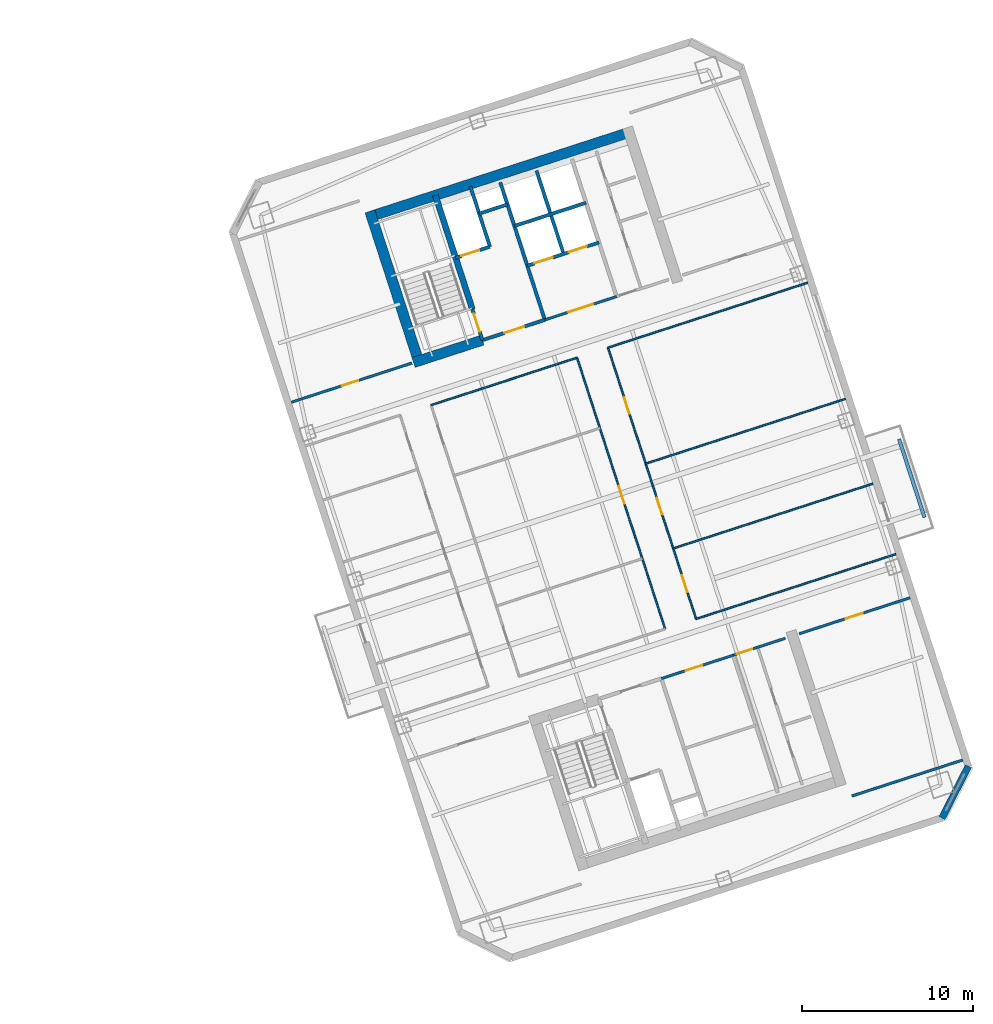
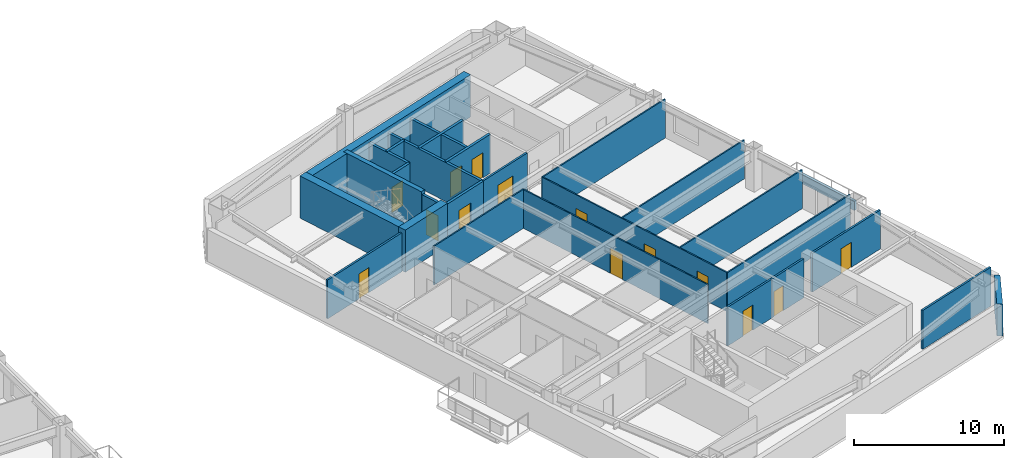
# One storey, part 16 of 22: 28 walls, 14 doors, 14 openings.
"""IFC4 building model written with IfcOpenShell, lengths in metres."""

from ifc_helpers import new_model, si_unit, direction, frame, frame_2d, origin, place, context, subcontext, project, spatial, rectangle, extrude, material, layer, layer_set, type_object, element, fill, save


model = new_model("IFC4")

# Units and contexts
model_context = context("Model", 3, precision=1e-05, world=origin(), true_north=direction((0.0, 1.0)))
body_context = subcontext(model_context, "Body", "Model", "MODEL_VIEW")
ifc_project = project(units=[si_unit("LENGTHUNIT", "METRE"), si_unit("AREAUNIT", "SQUARE_METRE"), si_unit("VOLUMEUNIT", "CUBIC_METRE"), si_unit("PLANEANGLEUNIT", "RADIAN"), si_unit("MASSUNIT", "GRAM", prefix="KILO")], contexts=[model_context])

# Site, building, storey
site_placement = place(None, origin())
site = spatial("IfcSite", under=ifc_project, at=site_placement, CompositionType="ELEMENT")
building_placement = place(site_placement, origin())
building = spatial("IfcBuilding", under=site, at=building_placement, Name="Qiaolan Cultural Towers", CompositionType="ELEMENT")
storey_placement = place(building_placement, frame((0.0, 0.0, 146.050048828125)))
storey = spatial("IfcBuildingStorey", under=building, at=storey_placement, Name="L38", CompositionType="ELEMENT", Elevation=146.050048828125)

# Walls
ifc_material_1 = material(Name="Concrete C50", Category="concrete")
ifc_layer_1 = layer(ifc_material_1, 0.35009765625)
ifc_layer_set_1 = layer_set([ifc_layer_1], Name="Concrete C50")
wall_type_1 = type_object("IfcWallType", Name="WL-CORE-350", PredefinedType="SHEAR", material=ifc_layer_set_1)
wall_1_placement = place(storey_placement, frame((82.513671875, 45.13134765625, 0.0), z_axis=(0.0, 0.0, 1.0), x_axis=(-0.308988790936, 0.951065679686, 0.0)))
element("IfcWall", 1, at=wall_1_placement, inside=storey, type_object=wall_type_1, Name="L38 T2-CN Stair Core Dividing Web", PredefinedType="SHEAR", context=body_context, shape_type="SweptSolid", body=[
    extrude(rectangle(XDim=6.97998046875, YDim=0.35009765625, at=frame_2d((3.489990234375, 0.0))), origin(), (0.0, 0.0, 1.0), 3.449951171875),
])
ifc_material_2 = material(Name="Concrete C55", Category="concrete")
ifc_layer_2 = layer(ifc_material_2, 0.60009765625)
ifc_layer_set_2 = layer_set([ifc_layer_2], Name="Concrete C55")
wall_type_2 = type_object("IfcWallType", Name="WL-CORE-600", PredefinedType="SHEAR", material=ifc_layer_set_2)
wall_2_placement = place(storey_placement, frame((76.343505859375, 50.4658203125, 0.0), z_axis=(0.0, 0.0, 1.0), x_axis=(0.951055727519, 0.309019421968, 0.0)))
element("IfcWall", 2, at=wall_2_placement, inside=storey, type_object=wall_type_2, Name="L38 T2-CN Outer Core Shear Wall", PredefinedType="SHEAR", context=body_context, shape_type="SweptSolid", body=[
    extrude(rectangle(XDim=16.39990234375, YDim=0.60009765625, at=frame_2d((8.199951171875, 0.0))), origin(), (0.0, 0.0, 1.0), 3.449951171875),
])
wall_3_placement = place(storey_placement, frame((79.465576171875, 41.827880859375, 0.0), z_axis=(0.0, 0.0, 1.0), x_axis=(-0.309041232772, 0.951048640421, 0.0)))
element("IfcWall", 3, at=wall_3_placement, inside=storey, type_object=wall_type_2, Name="L38 T2-CN West Core Shear Wall", PredefinedType="SHEAR", context=body_context, shape_type="SweptSolid", body=[
    extrude(rectangle(XDim=9.47998046875, YDim=0.60009765625, at=frame_2d((4.739990234375, 0.0))), origin(), (0.0, 0.0, 1.0), 3.449951171875),
])
wall_4_placement = place(storey_placement, frame((79.08740234375, 42.0205078125, 0.0), z_axis=(0.0, 0.0, 1.0), x_axis=(0.951062550203, 0.3089984233, 0.0)))
element("IfcWall", 4, at=wall_4_placement, inside=storey, type_object=wall_type_2, Name="L38 T2-CN Stair Front Shear Wall", PredefinedType="SHEAR", context=body_context, shape_type="SweptSolid", body=[
    extrude(rectangle(XDim=4.219970703125, YDim=0.60009765625, at=frame_2d((2.10986328125, 0.0))), origin(), (0.0, 0.0, 1.0), 3.449951171875),
])
ifc_material_3 = material(Name="Precast Concrete C50 Honed Stone Pier", Category="masonry")
ifc_layer_3 = layer(ifc_material_3, 0.39990234375)
ifc_layer_set_3 = layer_set([ifc_layer_3], Name="Precast Concrete C50 Honed Stone Pier")
wall_type_3 = type_object("IfcWallType", Name="WL-EXT-PIER-400", PredefinedType="SOLIDWALL", material=ifc_layer_set_3)
wall_5_placement = place(storey_placement, frame((111.449462890625, 18.468017578125, 0.0), z_axis=(0.0, 0.0, 1.0), x_axis=(-0.454019523198, -0.890991735402, 0.0)))
element("IfcWall", 5, at=wall_5_placement, inside=storey, type_object=wall_type_3, Name="L38 East Tower Precast Pier Facade Wall F6", PredefinedType="SOLIDWALL", context=body_context, shape_type="SweptSolid", body=[
    extrude(rectangle(XDim=3.39404296875, YDim=0.39990234375, at=frame_2d((1.697021484375, 0.0))), origin(), (0.0, 0.0, 1.0), 2.60986328125),
])

# Wall, opening, door
ifc_material_4 = material(Name="Concrete C35 Fire Wall", Category="concrete")
ifc_layer_4 = layer(ifc_material_4, 0.199951171875)
ifc_layer_set_4 = layer_set([ifc_layer_4], Name="Concrete C35 Fire Wall")
wall_type_4 = type_object("IfcWallType", Name="WL-FIRE-200", PredefinedType="PARTITIONING", material=ifc_layer_set_4)
wall_6_placement = place(storey_placement, frame((83.100830078125, 43.324462890625, 0.0), z_axis=(0.0, 0.0, 1.0), x_axis=(-0.309048298632, 0.951046344356, 0.0)))
wall_6 = element("IfcWall", 6, at=wall_6_placement, inside=storey, type_object=wall_type_4, Name="L38 T2-CN Smokeproof Stair Entry Wall", PredefinedType="PARTITIONING", context=body_context, shape_type="SweptSolid", body=[
    extrude(rectangle(XDim=1.89990234375, YDim=0.199951171875, at=frame_2d((0.949951171875, 0.0))), origin(), (0.0, 0.0, 1.0), 3.175048828125),
])
opening_1_placement = place(wall_6_placement, frame((0.52001953125, 0.0, 0.0)))
opening_1 = element("IfcOpeningElement", 7, at=opening_1_placement, cuts=wall_6, Name="Opening FD-04", PredefinedType="OPENING", context=body_context, shape_type="SweptSolid", body=[
    extrude(rectangle(XDim=1.10009765625, YDim=2.050048828125, at=frame_2d((0.550048828125, 1.02490234375))), frame((0.0, 0.10986328125, 0.0), z_axis=(0.0, -1.0, 0.0), x_axis=(1.0, 0.0, 0.0)), (0.0, 0.0, 1.0), 0.219970703125),
])
ifc_material_5 = material(Name="Galvanized Steel Command Fire Door", Category="steel")
door_type_1 = type_object("IfcDoorType", Name="DR-FD90-1100", OperationType="NOTDEFINED", PredefinedType="DOOR", material=ifc_material_5)
door_1_placement = place(opening_1_placement, origin())
door_1 = element("IfcDoor", 8, at=door_1_placement, inside=storey, type_object=door_type_1, Name="L38 ST-E2 Smokeproof Stair Fire Door", OperationType="SINGLE_SWING_LEFT", OverallHeight=2.050048828125, OverallWidth=1.10009765625, PredefinedType="DOOR", context=body_context, shape_type="SweptSolid", body=[
    extrude(rectangle(XDim=1.10009765625, YDim=2.050048828125, at=frame_2d((0.550048828125, 1.02490234375))), frame((0.0, 0.02490234375, 0.0), z_axis=(0.0, -1.0, 0.0), x_axis=(1.0, 0.0, 0.0)), (0.0, 0.0, 1.0), 0.050048828125),
])
fill(opening_1, door_1)

# Wall
wall_7_placement = place(storey_placement, frame((86.743408203125, 44.508056640625, 0.0), z_axis=(0.0, 0.0, 1.0), x_axis=(-0.309016001439, 0.951056838919, 0.0)))
element("IfcWall", 9, at=wall_7_placement, inside=storey, type_object=wall_type_4, Name="L38 T2-CN Firefighting Zone Wall", PredefinedType="PARTITIONING", context=body_context, shape_type="SweptSolid", body=[
    extrude(rectangle(XDim=8.429931640625, YDim=0.199951171875, at=frame_2d((4.21484375, 0.0))), origin(), (0.0, 0.0, 1.0), 3.175048828125),
])

# Wall, opening, door
wall_8_placement = place(storey_placement, frame((83.100830078125, 43.324462890625, 0.0), z_axis=(0.0, 0.0, 1.0), x_axis=(0.951052804469, 0.309028417967, 0.0)))
wall_8 = element("IfcWall", 10, at=wall_8_placement, inside=storey, type_object=wall_type_4, Name="L38 T2-CN Firefighting Lobby Front Wall", PredefinedType="PARTITIONING", context=body_context, shape_type="SweptSolid", body=[
    extrude(rectangle(XDim=3.830078125, YDim=0.199951171875, at=frame_2d((1.9150390625, 0.0))), origin(), (0.0, 0.0, 1.0), 3.175048828125),
])
opening_2_placement = place(wall_8_placement, frame((1.35009765625, 0.0, 0.0)))
opening_2 = element("IfcOpeningElement", 11, at=opening_2_placement, cuts=wall_8, Name="Opening FD-03", PredefinedType="OPENING", context=body_context, shape_type="SweptSolid", body=[
    extrude(rectangle(XDim=1.199951171875, YDim=2.050048828125, at=frame_2d((0.60009765625, 1.02490234375))), frame((0.0, 0.10986328125, 0.0), z_axis=(0.0, -1.0, 0.0), x_axis=(1.0, 0.0, 0.0)), (0.0, 0.0, 1.0), 0.219970703125),
])
ifc_material_6 = material(Name="Galvanized Steel Smokeproof Lobby Fire Door", Category="steel")
door_type_2 = type_object("IfcDoorType", Name="DR-FD90-1200", OperationType="NOTDEFINED", PredefinedType="DOOR", material=ifc_material_6)
door_2_placement = place(opening_2_placement, origin())
door_2 = element("IfcDoor", 12, at=door_2_placement, inside=storey, type_object=door_type_2, Name="L38 FFL-E2 Firefighting Lobby Fire Door", OperationType="SINGLE_SWING_LEFT", OverallHeight=2.050048828125, OverallWidth=1.199951171875, PredefinedType="DOOR", context=body_context, shape_type="SweptSolid", body=[
    extrude(rectangle(XDim=1.199951171875, YDim=2.050048828125, at=frame_2d((0.60009765625, 1.02490234375))), frame((0.0, 0.02490234375, 0.0), z_axis=(0.0, -1.0, 0.0), x_axis=(1.0, 0.0, 0.0)), (0.0, 0.0, 1.0), 0.050048828125),
])
fill(opening_2, door_2)

wall_9_placement = place(storey_placement, frame((81.540283203125, 48.127197265625, 0.0), z_axis=(0.0, 0.0, 1.0), x_axis=(0.951062257173, 0.308999325213, 0.0)))
wall_9 = element("IfcWall", 13, at=wall_9_placement, inside=storey, type_object=wall_type_4, Name="L38 T2-CN Firefighting Shaft Front Wall", PredefinedType="PARTITIONING", context=body_context, shape_type="SweptSolid", body=[
    extrude(rectangle(XDim=2.10009765625, YDim=0.199951171875, at=frame_2d((1.050048828125, 0.0))), origin(), (0.0, 0.0, 1.0), 3.175048828125),
])
opening_3_placement = place(wall_9_placement, frame((0.35009765625, 0.0, 0.0)))
opening_3 = element("IfcOpeningElement", 14, at=opening_3_placement, cuts=wall_9, Name="Opening LD-01", PredefinedType="OPENING", context=body_context, shape_type="SweptSolid", body=[
    extrude(rectangle(XDim=1.10009765625, YDim=2.050048828125, at=frame_2d((0.550048828125, 1.02490234375))), frame((0.0, 0.10986328125, 0.0), z_axis=(0.0, -1.0, 0.0), x_axis=(1.0, 0.0, 0.0)), (0.0, 0.0, 1.0), 0.219970703125),
])
ifc_material_7 = material(Name="Brushed Stainless Steel S30408 Centre-Parting Lift Landing Door", Category="steel")
door_type_3 = type_object("IfcDoorType", Name="DR-LIFT-1100", OperationType="NOTDEFINED", PredefinedType="DOOR", material=ifc_material_7)
door_3_placement = place(opening_3_placement, origin())
door_3 = element("IfcDoor", 15, at=door_3_placement, inside=storey, type_object=door_type_3, Name="L38 FFL-E2 Firefighting Lift Landing Door", OperationType="DOUBLE_DOOR_SLIDING", OverallHeight=2.050048828125, OverallWidth=1.10009765625, PredefinedType="DOOR", context=body_context, shape_type="SweptSolid", body=[
    extrude(rectangle(XDim=1.10009765625, YDim=2.050048828125, at=frame_2d((0.550048828125, 1.02490234375))), frame((0.0, 0.02490234375, 0.0), z_axis=(0.0, -1.0, 0.0), x_axis=(1.0, 0.0, 0.0)), (0.0, 0.0, 1.0), 0.050048828125),
])
fill(opening_3, door_3)

# Walls
wall_10_placement = place(storey_placement, frame((83.53759765625, 48.776123046875, 0.0), z_axis=(0.0, 0.0, 1.0), x_axis=(-0.3089935693, 0.951064127245, 0.0)))
element("IfcWall", 16, at=wall_10_placement, inside=storey, type_object=wall_type_4, Name="L38 T2-CN Firefighting Hoistway East Wall", PredefinedType="PARTITIONING", context=body_context, shape_type="SweptSolid", body=[
    extrude(rectangle(XDim=3.7001953125, YDim=0.199951171875, at=frame_2d((1.85009765625, 0.0))), origin(), (0.0, 0.0, 1.0), 3.175048828125),
])
wall_11_placement = place(storey_placement, frame((82.910400390625, 50.706787109375, 0.0), z_axis=(0.0, 0.0, 1.0), x_axis=(0.951041328149, 0.309063734775, 0.0)))
element("IfcWall", 17, at=wall_11_placement, inside=storey, type_object=wall_type_4, Name="L38 T2-CN Pressurization Shaft Front Wall", PredefinedType="PARTITIONING", context=body_context, shape_type="SweptSolid", body=[
    extrude(rectangle(XDim=1.72998046875, YDim=0.199951171875, at=frame_2d((0.864990234375, 0.0))), origin(), (0.0, 0.0, 1.0), 3.175048828125),
])

# Wall, openings, doors
wall_12_placement = place(storey_placement, frame((85.717529296875, 47.66552734375, 0.0), z_axis=(0.0, 0.0, 1.0), x_axis=(0.951058531764, 0.30901079133, 0.0)))
wall_12 = element("IfcWall", 18, at=wall_12_placement, inside=storey, type_object=wall_type_4, Name="L38 T2-CN Passenger Lift Shaft Front Wall", PredefinedType="PARTITIONING", context=body_context, shape_type="SweptSolid", body=[
    extrude(rectangle(XDim=4.39990234375, YDim=0.199951171875, at=frame_2d((2.199951171875, 0.0))), origin(), (0.0, 0.0, 1.0), 3.175048828125),
])
opening_4_placement = place(wall_12_placement, frame((0.449951171875, 0.0, 0.0)))
opening_4 = element("IfcOpeningElement", 19, at=opening_4_placement, cuts=wall_12, Name="Opening LD-01", PredefinedType="OPENING", context=body_context, shape_type="SweptSolid", body=[
    extrude(rectangle(XDim=1.10009765625, YDim=2.050048828125, at=frame_2d((0.550048828125, 1.02490234375))), frame((0.0, 0.10986328125, 0.0), z_axis=(0.0, -1.0, 0.0), x_axis=(1.0, 0.0, 0.0)), (0.0, 0.0, 1.0), 0.219970703125),
])
opening_5_placement = place(wall_12_placement, frame((2.550048828125, 0.0, 0.0)))
opening_5 = element("IfcOpeningElement", 20, at=opening_5_placement, cuts=wall_12, Name="Opening LD-01", PredefinedType="OPENING", context=body_context, shape_type="SweptSolid", body=[
    extrude(rectangle(XDim=1.10009765625, YDim=2.050048828125, at=frame_2d((0.550048828125, 1.02490234375))), frame((0.0, 0.10986328125, 0.0), z_axis=(0.0, -1.0, 0.0), x_axis=(1.0, 0.0, 0.0)), (0.0, 0.0, 1.0), 0.219970703125),
])
door_4_placement = place(opening_4_placement, origin())
door_4 = element("IfcDoor", 21, at=door_4_placement, inside=storey, type_object=door_type_3, Name="L38 Passenger Lift 1 Landing Door", OperationType="DOUBLE_DOOR_SLIDING", OverallHeight=2.050048828125, OverallWidth=1.10009765625, PredefinedType="DOOR", context=body_context, shape_type="SweptSolid", body=[
    extrude(rectangle(XDim=1.10009765625, YDim=2.050048828125, at=frame_2d((0.550048828125, 1.02490234375))), frame((0.0, 0.02490234375, 0.0), z_axis=(0.0, -1.0, 0.0), x_axis=(1.0, 0.0, 0.0)), (0.0, 0.0, 1.0), 0.050048828125),
])
fill(opening_4, door_4)
door_5_placement = place(opening_5_placement, origin())
door_5 = element("IfcDoor", 22, at=door_5_placement, inside=storey, type_object=door_type_3, Name="L38 Passenger Lift 2 Landing Door", OperationType="DOUBLE_DOOR_SLIDING", OverallHeight=2.050048828125, OverallWidth=1.10009765625, PredefinedType="DOOR", context=body_context, shape_type="SweptSolid", body=[
    extrude(rectangle(XDim=1.10009765625, YDim=2.050048828125, at=frame_2d((0.550048828125, 1.02490234375))), frame((0.0, 0.02490234375, 0.0), z_axis=(0.0, -1.0, 0.0), x_axis=(1.0, 0.0, 0.0)), (0.0, 0.0, 1.0), 0.050048828125),
])
fill(opening_5, door_5)

# Walls
wall_13_placement = place(storey_placement, frame((87.83837890625, 48.3544921875, 0.0), z_axis=(0.0, 0.0, 1.0), x_axis=(-0.3090093719, 0.951058992953, 0.0)))
element("IfcWall", 23, at=wall_13_placement, inside=storey, type_object=wall_type_4, Name="L38 T2-CN Lift Shaft Divider Wall", PredefinedType="PARTITIONING", context=body_context, shape_type="SweptSolid", body=[
    extrude(rectangle(XDim=5.110107421875, YDim=0.199951171875, at=frame_2d((2.55517578125, 0.0))), origin(), (0.0, 0.0, 1.0), 3.175048828125),
])
wall_14_placement = place(storey_placement, frame((84.966552734375, 49.9765625, 0.0), z_axis=(0.0, 0.0, 1.0), x_axis=(0.951063829732, 0.308994485023, 0.0)))
element("IfcWall", 24, at=wall_14_placement, inside=storey, type_object=wall_type_4, Name="L38 T2-CN Passenger Lift Shaft Back Wall", PredefinedType="PARTITIONING", context=body_context, shape_type="SweptSolid", body=[
    extrude(rectangle(XDim=4.400146484375, YDim=0.199951171875, at=frame_2d((2.2001953125, 0.0))), origin(), (0.0, 0.0, 1.0), 3.175048828125),
])
ifc_material_8 = material(Name="Acoustic Double-Glazed Partition Frame", Category="glass")
ifc_layer_5 = layer(ifc_material_8, 0.10009765625)
ifc_layer_set_5 = layer_set([ifc_layer_5], Name="Acoustic Double-Glazed Partition Frame")
wall_type_5 = type_object("IfcWallType", Name="WL-GLAZED-100", PredefinedType="MOVABLE", material=ifc_layer_set_5)
wall_15_placement = place(storey_placement, frame((95.56689453125, 27.060546875, 0.0), z_axis=(0.0, 0.0, 1.0), x_axis=(0.9510516424, 0.30903199428, 0.0)))
element("IfcWall", 25, at=wall_15_placement, inside=storey, type_object=wall_type_5, Name="L38 T2 Interior Wall", PredefinedType="MOVABLE", context=body_context, shape_type="SweptSolid", body=[
    extrude(rectangle(XDim=12.25, YDim=0.10009765625, at=frame_2d((6.125, 0.0))), origin(), (0.0, 0.0, 1.0), 3.175048828125),
])
wall_16_placement = place(storey_placement, frame((80.10595703125, 39.533447265625, 0.0), z_axis=(0.0, 0.0, 1.0), x_axis=(0.951059123431, 0.309008970321, 0.0)))
element("IfcWall", 26, at=wall_16_placement, inside=storey, type_object=wall_type_5, Name="L38 T2 Interior Wall", PredefinedType="MOVABLE", context=body_context, shape_type="SweptSolid", body=[
    extrude(rectangle(XDim=8.949951171875, YDim=0.10009765625, at=frame_2d((4.47509765625, 0.0))), origin(), (0.0, 0.0, 1.0), 3.175048828125),
])
wall_17_placement = place(storey_placement, frame((90.4248046875, 42.88623046875, 0.0), z_axis=(0.0, 0.0, 1.0), x_axis=(0.95105749975, 0.309013967595, 0.0)))
element("IfcWall", 27, at=wall_17_placement, inside=storey, type_object=wall_type_5, Name="L38 T2 Interior Wall", PredefinedType="MOVABLE", context=body_context, shape_type="SweptSolid", body=[
    extrude(rectangle(XDim=12.25, YDim=0.10009765625, at=frame_2d((6.125, 0.0))), origin(), (0.0, 0.0, 1.0), 3.175048828125),
])

# Wall, opening, door
wall_18_placement = place(storey_placement, frame((93.759765625, 26.473388671875, 0.0), z_axis=(0.0, 0.0, 1.0), x_axis=(-0.309004459387, 0.951060589068, 0.0)))
wall_18 = element("IfcWall", 28, at=wall_18_placement, inside=storey, type_object=wall_type_5, Name="L38 T2 Interior Wall", PredefinedType="MOVABLE", context=body_context, shape_type="SweptSolid", body=[
    extrude(rectangle(XDim=16.64013671875, YDim=0.10009765625, at=frame_2d((8.320068359375, 0.0))), origin(), (0.0, 0.0, 1.0), 3.175048828125),
])
opening_6_placement = place(wall_18_placement, frame((7.679931640625, 0.0, 0.0)))
opening_6 = element("IfcOpeningElement", 29, at=opening_6_placement, cuts=wall_18, Name="Opening ID-03", PredefinedType="OPENING", context=body_context, shape_type="SweptSolid", body=[
    extrude(rectangle(XDim=1.10009765625, YDim=2.050048828125, at=frame_2d((0.550048828125, 1.02490234375))), frame((0.0, 0.06005859375, 0.0), z_axis=(0.0, -1.0, 0.0), x_axis=(1.0, 0.0, 0.0)), (0.0, 0.0, 1.0), 0.1201171875),
])
ifc_material_9 = material(Name="Oak Veneer Solid-Core Boardroom Door", Category="timber")
door_type_4 = type_object("IfcDoorType", Name="DR-INT-1100", OperationType="NOTDEFINED", PredefinedType="DOOR", material=ifc_material_9)
door_6_placement = place(opening_6_placement, origin())
door_6 = element("IfcDoor", 30, at=door_6_placement, inside=storey, type_object=door_type_4, Name="L38 T2 Central Study Salon Door", OperationType="SINGLE_SWING_LEFT", OverallHeight=2.050048828125, OverallWidth=1.10009765625, PredefinedType="DOOR", context=body_context, shape_type="SweptSolid", body=[
    extrude(rectangle(XDim=1.10009765625, YDim=2.050048828125, at=frame_2d((0.550048828125, 1.02490234375))), frame((0.0, 0.02490234375, 0.0), z_axis=(0.0, -1.0, 0.0), x_axis=(1.0, 0.0, 0.0)), (0.0, 0.0, 1.0), 0.050048828125),
])
fill(opening_6, door_6)

# Wall, openings, doors
wall_19_placement = place(storey_placement, frame((95.56689453125, 27.060546875, 0.0), z_axis=(0.0, 0.0, 1.0), x_axis=(-0.30901773025, 0.951056277195, 0.0)))
wall_19 = element("IfcWall", 31, at=wall_19_placement, inside=storey, type_object=wall_type_5, Name="L38 T2 Interior Wall", PredefinedType="MOVABLE", context=body_context, shape_type="SweptSolid", body=[
    extrude(rectangle(XDim=16.64013671875, YDim=0.10009765625, at=frame_2d((8.320068359375, 0.0))), origin(), (0.0, 0.0, 1.0), 3.175048828125),
])
opening_7_placement = place(wall_19_placement, frame((1.659912109375, 0.0, 0.0)))
opening_7 = element("IfcOpeningElement", 32, at=opening_7_placement, cuts=wall_19, Name="Opening ID-04", PredefinedType="OPENING", context=body_context, shape_type="SweptSolid", body=[
    extrude(rectangle(XDim=1.0, YDim=2.050048828125, at=frame_2d((0.5, 1.02490234375))), frame((0.0, 0.06005859375, 0.0), z_axis=(0.0, -1.0, 0.0), x_axis=(1.0, 0.0, 0.0)), (0.0, 0.0, 1.0), 0.1201171875),
])
opening_8_placement = place(wall_19_placement, frame((6.419921875, 0.0, 0.0)))
opening_8 = element("IfcOpeningElement", 33, at=opening_8_placement, cuts=wall_19, Name="Opening ID-04", PredefinedType="OPENING", context=body_context, shape_type="SweptSolid", body=[
    extrude(rectangle(XDim=1.0, YDim=2.050048828125, at=frame_2d((0.5, 1.02490234375))), frame((0.0, 0.06005859375, 0.0), z_axis=(0.0, -1.0, 0.0), x_axis=(1.0, 0.0, 0.0)), (0.0, 0.0, 1.0), 0.1201171875),
])
opening_9_placement = place(wall_19_placement, frame((12.580078125, 0.0, 0.0)))
opening_9 = element("IfcOpeningElement", 34, at=opening_9_placement, cuts=wall_19, Name="Opening ID-04", PredefinedType="OPENING", context=body_context, shape_type="SweptSolid", body=[
    extrude(rectangle(XDim=1.0, YDim=2.050048828125, at=frame_2d((0.5, 1.02490234375))), frame((0.0, 0.06005859375, 0.0), z_axis=(0.0, -1.0, 0.0), x_axis=(1.0, 0.0, 0.0)), (0.0, 0.0, 1.0), 0.1201171875),
])
ifc_material_10 = material(Name="Oak Veneer Acoustic Office Door", Category="timber")
door_type_5 = type_object("IfcDoorType", Name="DR-INT-1000", OperationType="NOTDEFINED", PredefinedType="DOOR", material=ifc_material_10)
door_7_placement = place(opening_7_placement, origin())
door_7 = element("IfcDoor", 35, at=door_7_placement, inside=storey, type_object=door_type_5, Name="L38 T2 Urban Exhibition Hall Door", OperationType="SINGLE_SWING_RIGHT", OverallHeight=2.050048828125, OverallWidth=1.0, PredefinedType="DOOR", context=body_context, shape_type="SweptSolid", body=[
    extrude(rectangle(XDim=1.0, YDim=2.050048828125, at=frame_2d((0.5, 1.02490234375))), frame((0.0, 0.02490234375, 0.0), z_axis=(0.0, -1.0, 0.0), x_axis=(1.0, 0.0, 0.0)), (0.0, 0.0, 1.0), 0.050048828125),
])
fill(opening_7, door_7)
door_8_placement = place(opening_8_placement, origin())
door_8 = element("IfcDoor", 36, at=door_8_placement, inside=storey, type_object=door_type_5, Name="L38 T2 Urban Exhibition Hall Door", OperationType="SINGLE_SWING_LEFT", OverallHeight=2.050048828125, OverallWidth=1.0, PredefinedType="DOOR", context=body_context, shape_type="SweptSolid", body=[
    extrude(rectangle(XDim=1.0, YDim=2.050048828125, at=frame_2d((0.5, 1.02490234375))), frame((0.0, 0.02490234375, 0.0), z_axis=(0.0, -1.0, 0.0), x_axis=(1.0, 0.0, 0.0)), (0.0, 0.0, 1.0), 0.050048828125),
])
fill(opening_8, door_8)
door_9_placement = place(opening_9_placement, origin())
door_9 = element("IfcDoor", 37, at=door_9_placement, inside=storey, type_object=door_type_5, Name="L38 T2 Print & Book Counter Door", OperationType="SINGLE_SWING_RIGHT", OverallHeight=2.050048828125, OverallWidth=1.0, PredefinedType="DOOR", context=body_context, shape_type="SweptSolid", body=[
    extrude(rectangle(XDim=1.0, YDim=2.050048828125, at=frame_2d((0.5, 1.02490234375))), frame((0.0, 0.02490234375, 0.0), z_axis=(0.0, -1.0, 0.0), x_axis=(1.0, 0.0, 0.0)), (0.0, 0.0, 1.0), 0.050048828125),
])
fill(opening_9, door_9)

# Walls
for number, where, z_axis, x_axis, name in (
    (38, (94.23193359375, 31.169189453125, 0.0), (0.0, 0.0, 1.0), (0.95105749975, 0.309013967595, 0.0), "L38 T2 Interior Wall"),
    (39, (92.625, 36.11474609375, 0.0), (0.0, 0.0, 1.0), (0.95105749975, 0.309013967595, 0.0), "L38 T2 Interior Wall"),
):
    element("IfcWall", number, at=place(storey_placement, frame(where, z_axis=z_axis, x_axis=x_axis)), inside=storey, type_object=wall_type_5, Name=name, PredefinedType="MOVABLE", context=body_context, shape_type="SweptSolid", body=[
        extrude(rectangle(XDim=12.25, YDim=0.10009765625, at=frame_2d((6.125, 0.0))), origin(), (0.0, 0.0, 1.0), 3.175048828125),
    ])

# Wall, opening, door
ifc_material_11 = material(Name="Autoclaved Aerated Concrete Block B06", Category="concrete")
ifc_layer_6 = layer(ifc_material_11, 0.14990234375)
ifc_layer_set_6 = layer_set([ifc_layer_6], Name="Autoclaved Aerated Concrete Block B06")
wall_type_6 = type_object("IfcWallType", Name="WL-PART-150", PredefinedType="PARTITIONING", material=ifc_layer_set_6)
wall_20_placement = place(storey_placement, frame((93.541748046875, 23.584716796875, 0.0), z_axis=(0.0, 0.0, 1.0), x_axis=(0.951063829732, 0.308994485023, 0.0)))
wall_20 = element("IfcWall", 40, at=wall_20_placement, inside=storey, type_object=wall_type_6, Name="L38 T2-CS Reclaimed Core Room Front Wall", PredefinedType="PARTITIONING", context=body_context, shape_type="SweptSolid", body=[
    extrude(rectangle(XDim=4.400146484375, YDim=0.14990234375, at=frame_2d((2.2001953125, 0.0))), origin(), (0.0, 0.0, 1.0), 3.175048828125),
])
opening_10_placement = place(wall_20_placement, frame((1.5, 0.0, 0.0)))
opening_10 = element("IfcOpeningElement", 41, at=opening_10_placement, cuts=wall_20, Name="Opening ID-04", PredefinedType="OPENING", context=body_context, shape_type="SweptSolid", body=[
    extrude(rectangle(XDim=1.0, YDim=2.050048828125, at=frame_2d((0.5, 1.02490234375))), frame((0.0, 0.0849609375, 0.0), z_axis=(0.0, -1.0, 0.0), x_axis=(1.0, 0.0, 0.0)), (0.0, 0.0, 1.0), 0.169921875),
])
door_10_placement = place(opening_10_placement, origin())
door_10 = element("IfcDoor", 42, at=door_10_placement, inside=storey, type_object=door_type_5, Name="L38 Focus Pod Room Door", OperationType="SINGLE_SWING_LEFT", OverallHeight=2.050048828125, OverallWidth=1.0, PredefinedType="DOOR", context=body_context, shape_type="SweptSolid", body=[
    extrude(rectangle(XDim=1.0, YDim=2.050048828125, at=frame_2d((0.5, 1.02490234375))), frame((0.0, 0.02490234375, 0.0), z_axis=(0.0, -1.0, 0.0), x_axis=(1.0, 0.0, 0.0)), (0.0, 0.0, 1.0), 0.050048828125),
])
fill(opening_10, door_10)

wall_21_placement = place(storey_placement, frame((97.7265625, 24.9443359375, 0.0), z_axis=(0.0, 0.0, 1.0), x_axis=(0.951036872128, 0.309077446369, 0.0)))
wall_21 = element("IfcWall", 43, at=wall_21_placement, inside=storey, type_object=wall_type_6, Name="L38 T2-CS Sanitary Core Front Wall", PredefinedType="PARTITIONING", context=body_context, shape_type="SweptSolid", body=[
    extrude(rectangle(XDim=3.199951171875, YDim=0.14990234375, at=frame_2d((1.60009765625, 0.0))), origin(), (0.0, 0.0, 1.0), 3.175048828125),
])
opening_11_placement = place(wall_21_placement, frame((0.219970703125, 0.0, 0.0)))
opening_11 = element("IfcOpeningElement", 44, at=opening_11_placement, cuts=wall_21, Name="Opening ID-05", PredefinedType="OPENING", context=body_context, shape_type="SweptSolid", body=[
    extrude(rectangle(XDim=0.949951171875, YDim=2.050048828125, at=frame_2d((0.47509765625, 1.02490234375))), frame((0.0, 0.0849609375, 0.0), z_axis=(0.0, -1.0, 0.0), x_axis=(1.0, 0.0, 0.0)), (0.0, 0.0, 1.0), 0.169921875),
])
ifc_material_12 = material(Name="Fire-Rated Laminate Accessible Core Door", Category="timber")
door_type_6 = type_object("IfcDoorType", Name="DR-INT-950", OperationType="NOTDEFINED", PredefinedType="DOOR", material=ifc_material_12)
door_11_placement = place(opening_11_placement, origin())
door_11 = element("IfcDoor", 45, at=door_11_placement, inside=storey, type_object=door_type_6, Name="L38 Sanitary Lobby Door", OperationType="SINGLE_SWING_LEFT", OverallHeight=2.050048828125, OverallWidth=0.949951171875, PredefinedType="DOOR", context=body_context, shape_type="SweptSolid", body=[
    extrude(rectangle(XDim=0.949951171875, YDim=2.050048828125, at=frame_2d((0.47509765625, 1.02490234375))), frame((0.0, 0.02490234375, 0.0), z_axis=(0.0, -1.0, 0.0), x_axis=(1.0, 0.0, 0.0)), (0.0, 0.0, 1.0), 0.050048828125),
])
fill(opening_11, door_11)

wall_22_placement = place(storey_placement, frame((86.743408203125, 44.508056640625, 0.0), z_axis=(0.0, 0.0, 1.0), x_axis=(0.951063829732, 0.308994485023, 0.0)))
wall_22 = element("IfcWall", 46, at=wall_22_placement, inside=storey, type_object=wall_type_6, Name="L38 T2-CN Passenger Lift Lobby Front Wall", PredefinedType="PARTITIONING", context=body_context, shape_type="SweptSolid", body=[
    extrude(rectangle(XDim=4.400146484375, YDim=0.14990234375, at=frame_2d((2.2001953125, 0.0))), origin(), (0.0, 0.0, 1.0), 3.175048828125),
])
opening_12_placement = place(wall_22_placement, frame((1.449951171875, 0.0, 0.0)))
opening_12 = element("IfcOpeningElement", 47, at=opening_12_placement, cuts=wall_22, Name="Opening FD-05", PredefinedType="OPENING", context=body_context, shape_type="SweptSolid", body=[
    extrude(rectangle(XDim=1.5, YDim=2.050048828125, at=frame_2d((0.75, 1.02490234375))), frame((0.0, 0.0849609375, 0.0), z_axis=(0.0, -1.0, 0.0), x_axis=(1.0, 0.0, 0.0)), (0.0, 0.0, 1.0), 0.169921875),
])
ifc_material_13 = material(Name="Painted Steel Lift Lobby Fire Door", Category="steel")
door_type_7 = type_object("IfcDoorType", Name="DR-FD60-1500", OperationType="NOTDEFINED", PredefinedType="DOOR", material=ifc_material_13)
door_12_placement = place(opening_12_placement, origin())
door_12 = element("IfcDoor", 48, at=door_12_placement, inside=storey, type_object=door_type_7, Name="L38 Passenger Lift Lobby Entrance", OperationType="SINGLE_SWING_LEFT", OverallHeight=2.050048828125, OverallWidth=1.5, PredefinedType="DOOR", context=body_context, shape_type="SweptSolid", body=[
    extrude(rectangle(XDim=1.5, YDim=2.050048828125, at=frame_2d((0.75, 1.02490234375))), frame((0.0, 0.02490234375, 0.0), z_axis=(0.0, -1.0, 0.0), x_axis=(1.0, 0.0, 0.0)), (0.0, 0.0, 1.0), 0.050048828125),
])
fill(opening_12, door_12)

# Wall
wall_23_placement = place(storey_placement, frame((104.653076171875, 16.73291015625, 0.0), z_axis=(0.0, 0.0, 1.0), x_axis=(0.951054383043, 0.309023559774, 0.0)))
element("IfcWall", 49, at=wall_23_placement, inside=storey, type_object=wall_type_6, Name="L38 T2 Flank Wall FLK-SE", PredefinedType="PARTITIONING", context=body_context, shape_type="SweptSolid", body=[
    extrude(rectangle(XDim=6.7998046875, YDim=0.14990234375, at=frame_2d((3.39990234375, 0.0))), origin(), (0.0, 0.0, 1.0), 3.175048828125),
])

# Wall, opening, door
wall_24_placement = place(storey_placement, frame((101.578369140625, 26.196044921875, 0.0), z_axis=(0.0, 0.0, 1.0), x_axis=(0.951064934653, 0.308991084134, 0.0)))
wall_24 = element("IfcWall", 50, at=wall_24_placement, inside=storey, type_object=wall_type_6, Name="L38 T2 Flank Front FLK-SE", PredefinedType="PARTITIONING", context=body_context, shape_type="SweptSolid", body=[
    extrude(rectangle(XDim=6.7998046875, YDim=0.14990234375, at=frame_2d((3.39990234375, 0.0))), origin(), (0.0, 0.0, 1.0), 3.175048828125),
])
opening_13_placement = place(wall_24_placement, frame((2.85595703125, 0.0, 0.0)))
opening_13 = element("IfcOpeningElement", 51, at=opening_13_placement, cuts=wall_24, Name="Opening ID-07", PredefinedType="OPENING", context=body_context, shape_type="SweptSolid", body=[
    extrude(rectangle(XDim=1.050048828125, YDim=2.050048828125, at=frame_2d((0.52490234375, 1.02490234375))), frame((0.0, 0.0849609375, 0.0), z_axis=(0.0, -1.0, 0.0), x_axis=(1.0, 0.0, 0.0)), (0.0, 0.0, 1.0), 0.169921875),
])
ifc_material_14 = material(Name="Oak Veneer Consultation Door", Category="timber")
door_type_8 = type_object("IfcDoorType", Name="DR-INT-1050", OperationType="NOTDEFINED", PredefinedType="DOOR", material=ifc_material_14)
door_13_placement = place(opening_13_placement, origin())
door_13 = element("IfcDoor", 52, at=door_13_placement, inside=storey, type_object=door_type_8, Name="L38 T2 Corner Studio Door", OperationType="SINGLE_SWING_LEFT", OverallHeight=2.050048828125, OverallWidth=1.050048828125, PredefinedType="DOOR", context=body_context, shape_type="SweptSolid", body=[
    extrude(rectangle(XDim=1.050048828125, YDim=2.050048828125, at=frame_2d((0.52490234375, 1.02490234375))), frame((0.0, 0.02490234375, 0.0), z_axis=(0.0, -1.0, 0.0), x_axis=(1.0, 0.0, 0.0)), (0.0, 0.0, 1.0), 0.050048828125),
])
fill(opening_13, door_13)

wall_25_placement = place(storey_placement, frame((71.95458984375, 39.702880859375, 0.0), z_axis=(0.0, 0.0, 1.0), x_axis=(0.951060977215, 0.309003264738, 0.0)))
wall_25 = element("IfcWall", 53, at=wall_25_placement, inside=storey, type_object=wall_type_6, Name="L38 T2 Flank Front FLK-NW", PredefinedType="PARTITIONING", context=body_context, shape_type="SweptSolid", body=[
    extrude(rectangle(XDim=7.39990234375, YDim=0.14990234375, at=frame_2d((3.699951171875, 0.0))), origin(), (0.0, 0.0, 1.0), 3.175048828125),
])
opening_14_placement = place(wall_25_placement, frame((3.10791015625, 0.0, 0.0)))
opening_14 = element("IfcOpeningElement", 54, at=opening_14_placement, cuts=wall_25, Name="Opening ID-04", PredefinedType="OPENING", context=body_context, shape_type="SweptSolid", body=[
    extrude(rectangle(XDim=1.0, YDim=2.050048828125, at=frame_2d((0.5, 1.02490234375))), frame((0.0, 0.0849609375, 0.0), z_axis=(0.0, -1.0, 0.0), x_axis=(1.0, 0.0, 0.0)), (0.0, 0.0, 1.0), 0.169921875),
])
door_14_placement = place(opening_14_placement, origin())
door_14 = element("IfcDoor", 55, at=door_14_placement, inside=storey, type_object=door_type_5, Name="L38 T2 Corner Studio Door", OperationType="SINGLE_SWING_LEFT", OverallHeight=2.050048828125, OverallWidth=1.0, PredefinedType="DOOR", context=body_context, shape_type="SweptSolid", body=[
    extrude(rectangle(XDim=1.0, YDim=2.050048828125, at=frame_2d((0.5, 1.02490234375))), frame((0.0, 0.02490234375, 0.0), z_axis=(0.0, -1.0, 0.0), x_axis=(1.0, 0.0, 0.0)), (0.0, 0.0, 1.0), 0.050048828125),
])
fill(opening_14, door_14)

# Wall
ifc_material_15 = material(Name="Precast Concrete C45 Tree Planter Upstand", Category="concrete")
ifc_layer_7 = layer(ifc_material_15, 0.199951171875)
ifc_layer_set_7 = layer_set([ifc_layer_7], Name="Precast Concrete C45 Tree Planter Upstand")
wall_type_7 = type_object("IfcWallType", Name="WL-PLANTER-200", PredefinedType="PARAPET", material=ifc_layer_set_7)
wall_26_placement = place(storey_placement, frame((108.887451171875, 32.987060546875, 0.0), z_axis=(0.0, 0.0, 1.0), x_axis=(-0.30900096172, 0.951061725471, 0.0)))
element("IfcWall", 56, at=wall_26_placement, inside=storey, type_object=wall_type_7, Name="L38 T2 Tree Balcony Soil Planter Box E", PredefinedType="PARAPET", context=body_context, shape_type="SweptSolid", body=[
    extrude(rectangle(XDim=4.7998046875, YDim=0.199951171875, at=frame_2d((2.39990234375, 0.0))), origin(), (0.0, 0.0, 1.0), 0.75),
])

save(model, "model.ifc")
